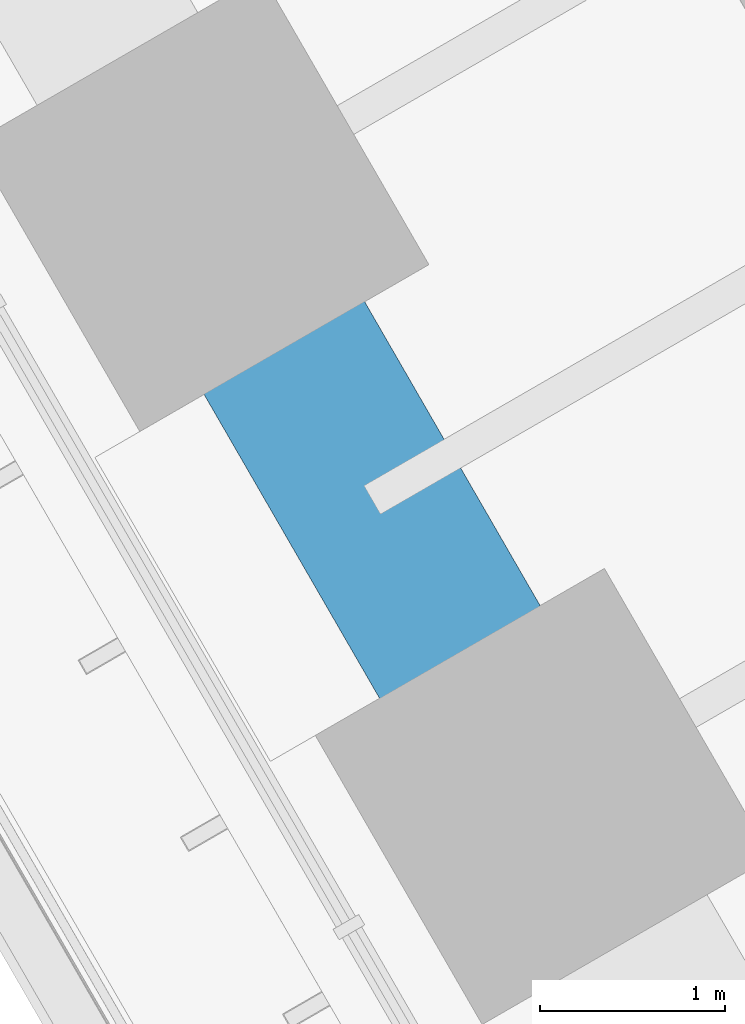
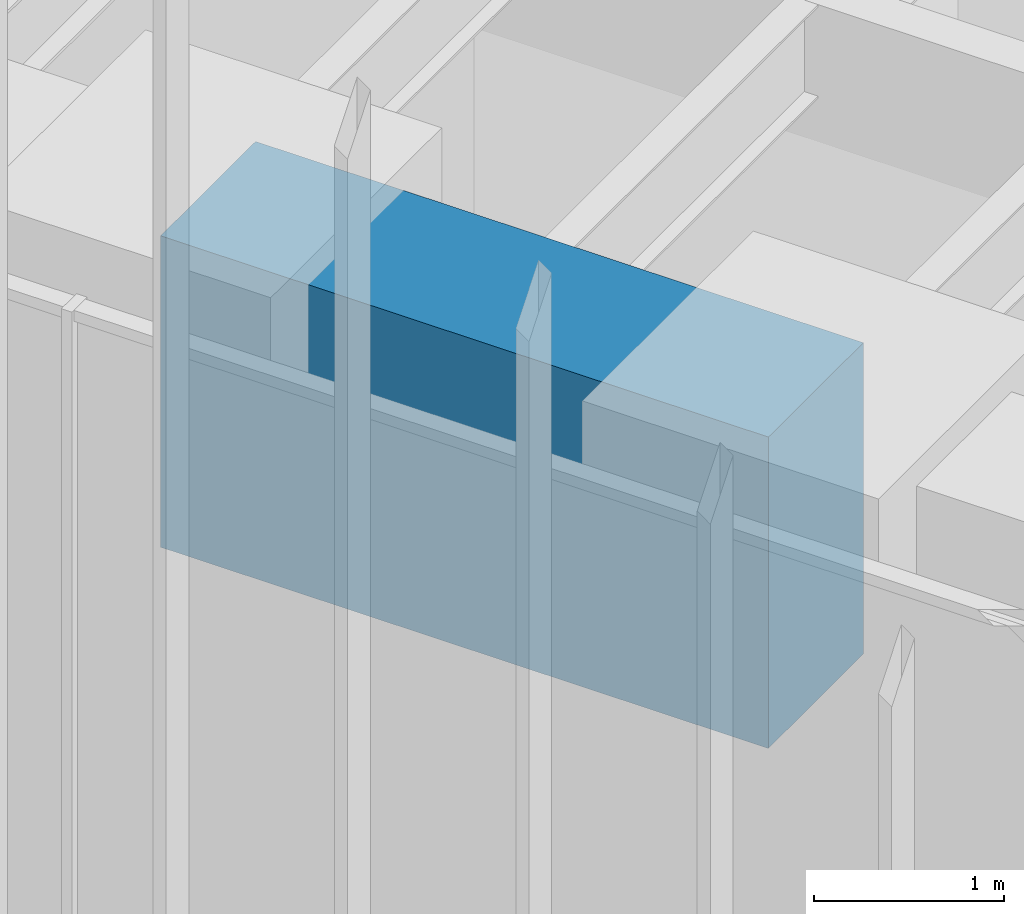
# One storey, part 50 of 228: 1 beam.
"""IFC4 building model written with IfcOpenShell, lengths in metres."""

from ifc_helpers import new_model, si_unit, direction, frame, origin, origin_2d, place, context, subcontext, project, spatial, rectangle, extrude, material, material_profile, profile_set, type_object, element, save


model = new_model("IFC4")

# Units and contexts
model_context = context("Model", 3, precision=1e-05, world=origin(), true_north=direction((0.0, 1.0)))
body_context = subcontext(model_context, "Body", "Model", "MODEL_VIEW")
ifc_project = project(units=[si_unit("LENGTHUNIT", "METRE"), si_unit("AREAUNIT", "SQUARE_METRE"), si_unit("VOLUMEUNIT", "CUBIC_METRE"), si_unit("PLANEANGLEUNIT", "RADIAN"), si_unit("MASSUNIT", "GRAM", prefix="KILO")], contexts=[model_context])

# Site, building, storey
site_placement = place(None, origin())
site = spatial("IfcSite", under=ifc_project, at=site_placement, CompositionType="ELEMENT")
building_placement = place(site_placement, origin())
building = spatial("IfcBuilding", under=site, at=building_placement, Name="Sandreach Pilgrim Tower", CompositionType="ELEMENT")
storey_placement = place(building_placement, frame((0.0, 0.0, 178.199951171875)))
storey = spatial("IfcBuildingStorey", under=building, at=storey_placement, Name="L44", CompositionType="ELEMENT", Elevation=178.199951171875)

# Beam
ifc_material = material(Name="Concrete 10000 psi", Category="concrete")
ifc_material_profile = material_profile(ifc_material, rectangle(XDim=1.0, YDim=2.0, at=origin_2d()), Name="RC1000X2000")
ifc_profile_set = profile_set([ifc_material_profile], Name="Concrete 10000 psi")
beam_type = type_object("IfcBeamType", Name="Spandrel beam RC1000X2000", PredefinedType="SPANDREL", material=ifc_profile_set)
beam_placement = place(storey_placement, frame((-16.310791015625, -11.548828125, 3.840087890625), z_axis=(-0.500042951019, 0.866000604582, 0.0), x_axis=(-0.866000604582, -0.500042951019, 0.0)))
element("IfcBeam", 1, at=beam_placement, inside=storey, type_object=beam_type, Name="BM L44 SP30", PredefinedType="SPANDREL", context=body_context, shape_type="SweptSolid", body=[
    extrude(rectangle(XDim=1.0, YDim=2.0, at=origin_2d()), origin(), (0.0, 0.0, 1.0), 3.692626953125),
])

save(model, "model.ifc")
